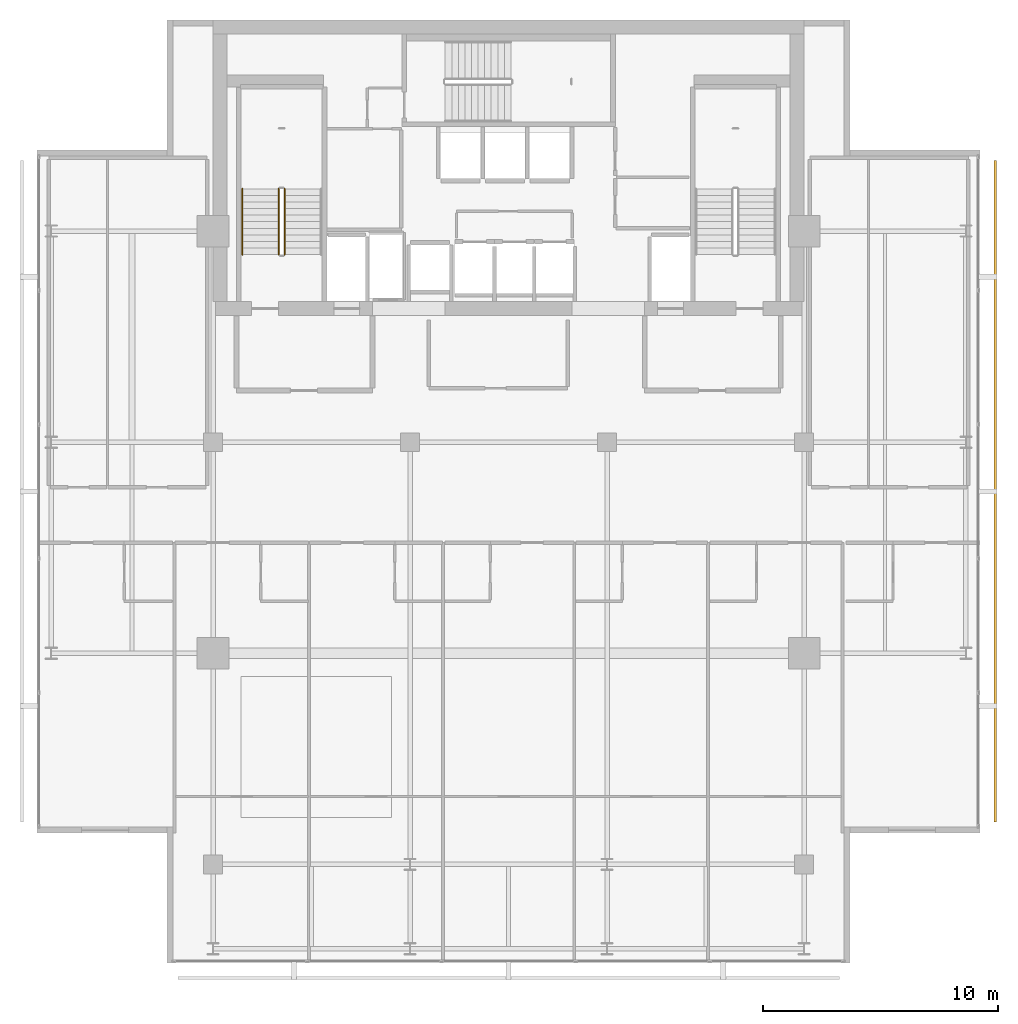
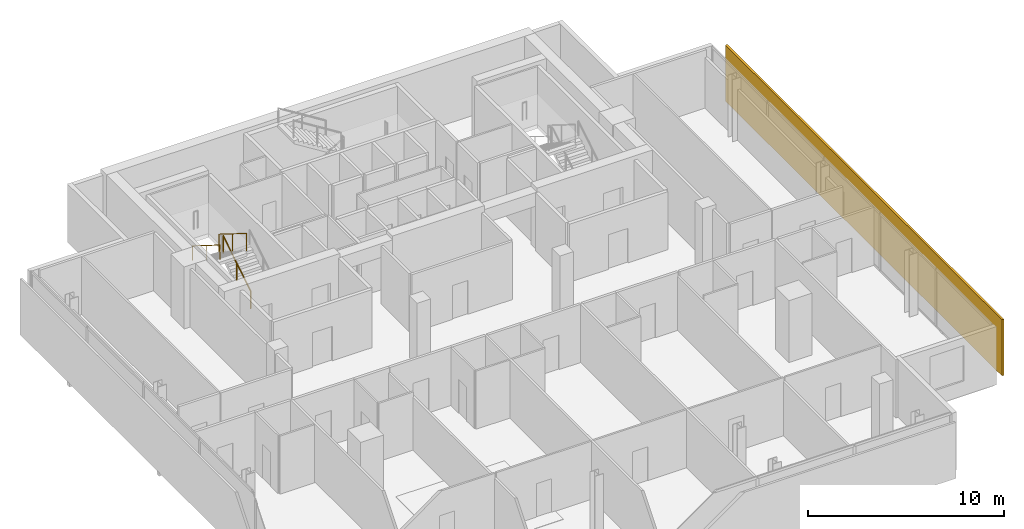
# One storey, part 23 of 24: 3 railings, 1 shading device.
"""IFC4 building model written with IfcOpenShell, lengths in metres."""

from ifc_helpers import new_model, si_unit, direction, frame, origin, origin_2d, place, context, subcontext, project, spatial, rectangle, circle, extrude, material, layer, layer_set, type_object, element, save


model = new_model("IFC4")

# Units and contexts
model_context = context("Model", 3, precision=1e-05, world=origin(), true_north=direction((0.0, 1.0)))
body_context = subcontext(model_context, "Body", "Model", "MODEL_VIEW")
ifc_project = project(units=[si_unit("LENGTHUNIT", "METRE"), si_unit("AREAUNIT", "SQUARE_METRE"), si_unit("VOLUMEUNIT", "CUBIC_METRE"), si_unit("PLANEANGLEUNIT", "RADIAN"), si_unit("MASSUNIT", "GRAM", prefix="KILO")], contexts=[model_context])

# Site, building, storey
site_placement = place(None, origin())
site = spatial("IfcSite", under=ifc_project, at=site_placement, CompositionType="ELEMENT")
building_placement = place(site_placement, origin())
building = spatial("IfcBuilding", under=site, at=building_placement, Name="Maruvema Waterfront Hotel and Observation Tower", CompositionType="ELEMENT")
storey_placement = place(building_placement, frame((0.0, 0.0, 329.699951171875)))
storey = spatial("IfcBuildingStorey", under=building, at=storey_placement, Name="L81", CompositionType="ELEMENT", Elevation=329.699951171875)

# Railings
ifc_material_1 = material(Name="Brushed stainless steel Grade 316", Category="steel")
railing_type_1 = type_object("IfcRailingType", Name="Ramp Continuous Wall Handrail 920 mm", PredefinedType="HANDRAIL", material=ifc_material_1)
railing_1_placement = place(storey_placement, frame((26.449951171875, 46.800048828125, 2.10009765625)))
element("IfcRailing", 1, at=railing_1_placement, inside=storey, type_object=railing_type_1, Name="L81 ST-01 stair handrail 2", PredefinedType="HANDRAIL", context=body_context, shape_type="SweptSolid", body=[
    extrude(circle(Radius=0.02392578125, at=origin_2d()), frame((0.0, 0.0, 0.89599609375), z_axis=(0.0, -0.848002457836, 0.529992293815), x_axis=(1.0, 0.0, 0.0)), (0.0, 0.0, 1.0), 3.302001953125),
    extrude(circle(Radius=0.02099609375, at=origin_2d()), origin(), (0.0, 0.0, 1.0), 0.871826171875),
    extrude(circle(Radius=0.02099609375, at=origin_2d()), frame((0.0, -1.39990234375, 0.875)), (0.0, 0.0, 1.0), 0.871826171875),
    extrude(circle(Radius=0.02099609375, at=origin_2d()), frame((0.0, -2.800048828125, 1.75)), (0.0, 0.0, 1.0), 0.871826171875),
])
ifc_material_2 = material(Name="Brushed stainless steel Grade 316", Category="steel")
railing_type_2 = type_object("IfcRailingType", Name="Ramp and Terrace Guard Balustrade 1100 mm", PredefinedType="BALUSTRADE", material=ifc_material_2)
railing_2_placement = place(storey_placement, frame((28.25, 44.0, 0.175048828125)))
element("IfcRailing", 2, at=railing_2_placement, inside=storey, type_object=railing_type_2, Name="L81 ST-01 stair guard 1", PredefinedType="BALUSTRADE", context=body_context, shape_type="SweptSolid", body=[
    extrude(circle(Radius=0.02392578125, at=origin_2d()), frame((0.0, 0.0, 1.076171875), z_axis=(0.0, 0.848002457836, 0.529992293815), x_axis=(-1.0, 0.0, 0.0)), (0.0, 0.0, 1.0), 3.302001953125),
    extrude(circle(Radius=0.02099609375, at=origin_2d()), origin(), (0.0, 0.0, 1.0), 1.052001953125),
    extrude(circle(Radius=0.02099609375, at=origin_2d()), frame((0.0, 1.39990234375, 0.875)), (0.0, 0.0, 1.0), 1.052001953125),
    extrude(circle(Radius=0.02099609375, at=origin_2d()), frame((0.0, 2.800048828125, 1.75)), (0.0, 0.0, 1.0), 1.052001953125),
])
railing_3_placement = place(storey_placement, frame((28.0, 46.800048828125, 2.10009765625)))
element("IfcRailing", 3, at=railing_3_placement, inside=storey, type_object=railing_type_2, Name="L81 ST-01 stair guard 3", PredefinedType="BALUSTRADE", context=body_context, shape_type="SweptSolid", body=[
    extrude(circle(Radius=0.02392578125, at=origin_2d()), frame((0.0, 0.0, 1.076171875), z_axis=(0.0, -0.848002457836, 0.529992293815), x_axis=(1.0, 0.0, 0.0)), (0.0, 0.0, 1.0), 3.302001953125),
    extrude(circle(Radius=0.02099609375, at=origin_2d()), origin(), (0.0, 0.0, 1.0), 1.052001953125),
    extrude(circle(Radius=0.02099609375, at=origin_2d()), frame((0.0, -1.39990234375, 0.875)), (0.0, 0.0, 1.0), 1.052001953125),
    extrude(circle(Radius=0.02099609375, at=origin_2d()), frame((0.0, -2.800048828125, 1.75)), (0.0, 0.0, 1.0), 1.052001953125),
])

# Shading device
ifc_material_3 = material(Name="Honed travertine stone and anodised architectural bronze", Category="masonry")
ifc_layer = layer(ifc_material_3, 0.1201171875, Name="Ventilated Outer Skin Cobogo Stone-and-Bronze Screen 120 mm")
ifc_layer_set = layer_set([ifc_layer], Name="Honed travertine stone and anodised architectural bronze")
shading_device_type = type_object("IfcShadingDeviceType", Name="Ventilated Outer Skin Cobogo Stone-and-Bronze Screen 120 mm", PredefinedType="USERDEFINED", material=ifc_layer_set)
shading_device_placement = place(storey_placement, frame((58.550048828125, 33.89990234375, 0.06005859375), z_axis=(0.0, 0.0, 1.0), x_axis=(0.0, 1.0, 0.0)))
element("IfcShadingDevice", 4, at=shading_device_placement, inside=storey, type_object=shading_device_type, Name="L81 Ventilated Double-Skin Outer Cobogo Screen OS-L81-E", ObjectType="OUTER SKIN SCREEN", PredefinedType="USERDEFINED", context=body_context, shape_type="SweptSolid", body=[
    extrude(rectangle(XDim=28.199951171875, YDim=0.1201171875, at=origin_2d()), origin(), (0.0, 0.0, 1.0), 3.489990234375),
])

save(model, "model.ifc")
